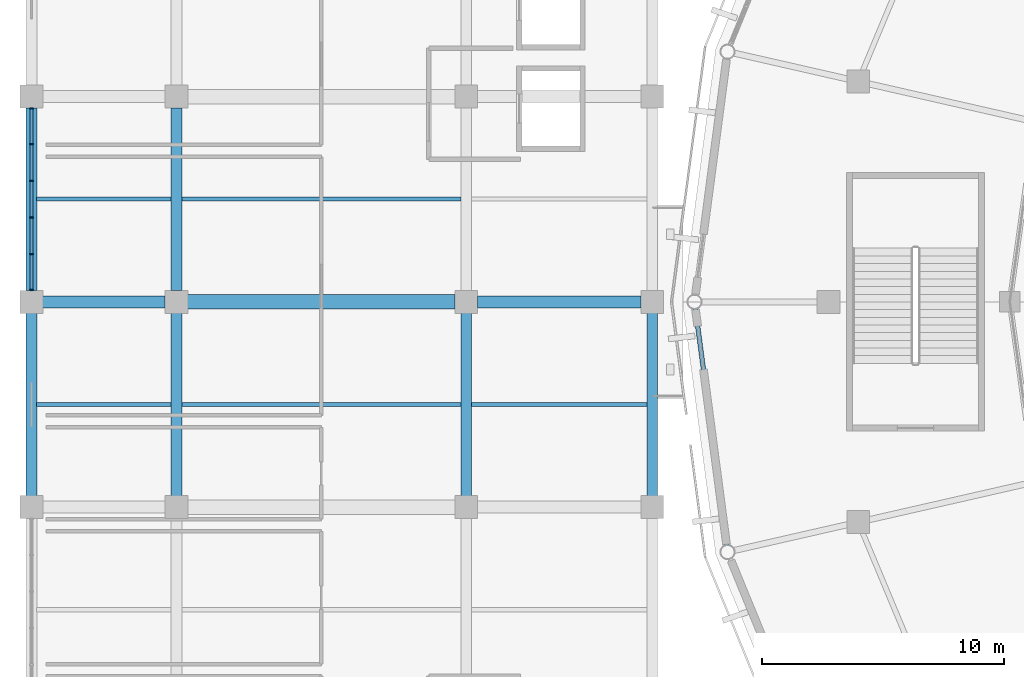
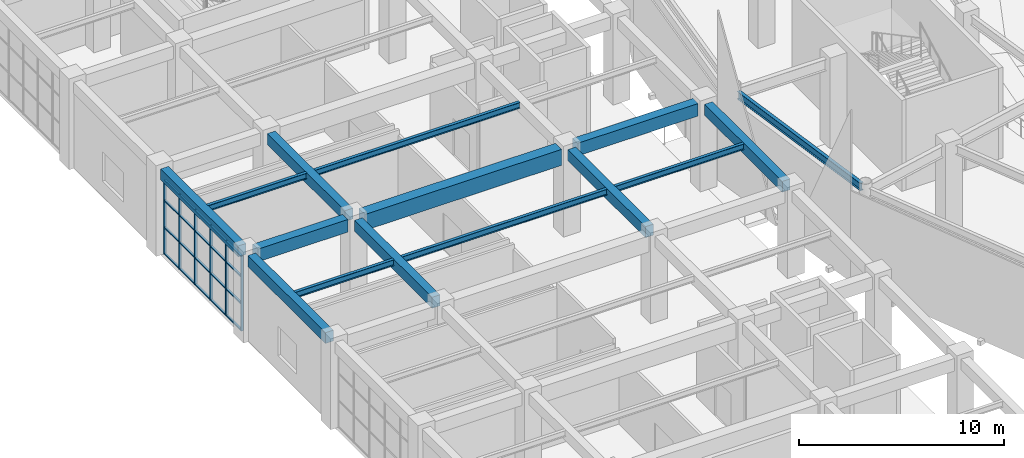
# One storey, part 31 of 120: 26 members, 15 beams, 1 element without a shape of its own.
"""IFC4 building model written with IfcOpenShell, lengths in metres."""

from ifc_helpers import new_model, si_unit, direction, frame, origin, origin_2d, place, context, subcontext, project, spatial, rectangle, i_section, extrude, material, material_profile, profile_set, type_object, element, aggregate, save


model = new_model("IFC4")

# Units and contexts
model_context = context("Model", 3, precision=1e-05, world=origin(), true_north=direction((0.0, 1.0)))
body_context = subcontext(model_context, "Body", "Model", "MODEL_VIEW")
ifc_project = project(units=[si_unit("LENGTHUNIT", "METRE"), si_unit("AREAUNIT", "SQUARE_METRE"), si_unit("VOLUMEUNIT", "CUBIC_METRE"), si_unit("PLANEANGLEUNIT", "RADIAN"), si_unit("MASSUNIT", "GRAM", prefix="KILO")], contexts=[model_context])

# Site, building, storey
site_placement = place(None, origin())
site = spatial("IfcSite", under=ifc_project, at=site_placement, CompositionType="ELEMENT")
building_placement = place(site_placement, origin())
building = spatial("IfcBuilding", under=site, at=building_placement, Name="Cuetzalor Civic Arena", CompositionType="ELEMENT")
storey_placement = place(building_placement, frame((0.0, 0.0, 6.0)))
storey = spatial("IfcBuildingStorey", under=building, at=storey_placement, Name="L01", CompositionType="ELEMENT", Elevation=6.0)

# Beams
ifc_material_1 = material(Name="Concrete C40/50", Category="concrete")
ifc_material_profile_1 = material_profile(ifc_material_1, rectangle(XDim=0.5, YDim=0.75, at=origin_2d()), Name="RC 500x750")
ifc_profile_set_1 = profile_set([ifc_material_profile_1], Name="Concrete C40/50")
beam_type_1 = type_object("IfcBeamType", Name="ConcreteFrameBeam_500x750", PredefinedType="BEAM", material=ifc_profile_set_1)
beam_1_placement = place(storey_placement, frame((-81.534912109375, 0.0, 4.7451171875), z_axis=(1.0, 0.0, 0.0), x_axis=(0.0, 1.0, 0.0)))
element("IfcBeam", 1, at=beam_1_placement, inside=storey, type_object=beam_type_1, Name="Frame Girder V4W-L01-X0366", PredefinedType="BEAM", context=body_context, shape_type="SweptSolid", body=[
    extrude(rectangle(XDim=0.5, YDim=0.75, at=origin_2d()), origin(), (0.0, 0.0, 1.0), 5.06982421875),
])
beam_2_placement = place(storey_placement, frame((-63.534912109375, 0.0, 4.7451171875), z_axis=(1.0, 0.0, 0.0), x_axis=(0.0, 1.0, 0.0)))
element("IfcBeam", 2, at=beam_2_placement, inside=storey, type_object=beam_type_1, Name="Frame Girder V4W-L01-X0368", PredefinedType="BEAM", context=body_context, shape_type="SweptSolid", body=[
    extrude(rectangle(XDim=0.5, YDim=0.75, at=origin_2d()), origin(), (0.0, 0.0, 1.0), 6.77001953125),
])
ifc_material_2 = material(Name="Concrete C40/50", Category="concrete")
ifc_material_profile_2 = material_profile(ifc_material_2, rectangle(XDim=0.60009765625, YDim=0.949951171875, at=origin_2d()), Name="RC 600x950")
ifc_profile_set_2 = profile_set([ifc_material_profile_2], Name="Concrete C40/50")
beam_type_2 = type_object("IfcBeamType", Name="ConcreteFrameBeam_600x950", PredefinedType="BEAM", material=ifc_profile_set_2)
beam_3_placement = place(storey_placement, frame((-75.534912109375, 0.0, 4.64501953125), z_axis=(1.0, 0.0, 0.0), x_axis=(0.0, 1.0, 0.0)))
element("IfcBeam", 3, at=beam_3_placement, inside=storey, type_object=beam_type_2, Name="Frame Girder V4W-L01-X0367", PredefinedType="BEAM", context=body_context, shape_type="SweptSolid", body=[
    extrude(rectangle(XDim=0.60009765625, YDim=0.949951171875, at=origin_2d()), origin(), (0.0, 0.0, 1.0), 11.06982421875),
])
ifc_material_3 = material(Name="Concrete C40/50", Category="concrete")
ifc_material_profile_3 = material_profile(ifc_material_3, rectangle(XDim=0.449951171875, YDim=0.64990234375, at=origin_2d()), Name="RC 450x650")
ifc_profile_set_3 = profile_set([ifc_material_profile_3], Name="Concrete C40/50")
beam_type_3 = type_object("IfcBeamType", Name="ConcreteTieBeam_450x650", PredefinedType="BEAM", material=ifc_profile_set_3)
for number, where, z_axis, x_axis, name in (
    (4, (-82.0, -8.034912109375, 4.794921875), (0.0, 1.0, 0.0), (-1.0, 0.0, 0.0), "Frame Girder V4W-L01-Y0386"),
    (5, (-82.0, 0.465087890625, 4.794921875), (0.0, 1.0, 0.0), (-1.0, 0.0, 0.0), "Frame Girder V4W-L01-Y0387"),
    (6, (-76.0, -8.034912109375, 4.794921875), (0.0, 1.0, 0.0), (-1.0, 0.0, 0.0), "Frame Girder V4W-L01-Y0396"),
    (7, (-76.0, 0.465087890625, 4.794921875), (0.0, 1.0, 0.0), (-1.0, 0.0, 0.0), "Frame Girder V4W-L01-Y0397"),
    (8, (-64.0, -8.034912109375, 4.794921875), (0.0, 1.0, 0.0), (-1.0, 0.0, 0.0), "Frame Girder V4W-L01-Y0406"),
    (9, (-56.300048828125, -8.034912109375, 4.794921875), (0.0, 1.0, 0.0), (-1.0, 0.0, 0.0), "Frame Girder V4W-L01-Y0416"),
):
    element("IfcBeam", number, at=place(storey_placement, frame(where, z_axis=z_axis, x_axis=x_axis)), inside=storey, type_object=beam_type_3, Name=name, PredefinedType="BEAM", context=body_context, shape_type="SweptSolid", body=[
        extrude(rectangle(XDim=0.449951171875, YDim=0.64990234375, at=origin_2d()), origin(), (0.0, 0.0, 1.0), 7.56982421875),
    ])

# Curtain wall, members
ifc_material_4 = material(Name="Anodised dark bronze aluminium and low-E solar glass", Category="aluminium")
curtain_wall_type = type_object("IfcCurtainWallType", Name="UnitisedCW_7600x4450", PredefinedType="USERDEFINED", material=ifc_material_4)
curtain_wall_placement = place(storey_placement, origin())
curtain_wall = element("IfcCurtainWall", 10, at=curtain_wall_placement, inside=storey, type_object=curtain_wall_type, Name="V4W Suite Viewing Curtain Wall L01-111", ObjectType="UNITISED CURTAIN WALL", PredefinedType="USERDEFINED")
ifc_material_5 = material(Name="Anodised dark bronze aluminium", Category="aluminium")
ifc_material_profile_4 = material_profile(ifc_material_5, rectangle(XDim=0.06494140625, YDim=0.14990234375, at=origin_2d()), Name="ALU MULLION 65x150")
ifc_profile_set_4 = profile_set([ifc_material_profile_4], Name="Anodised dark bronze aluminium")
member_type_1 = type_object("IfcMemberType", Name="CurtainWallMullion_60x150", PredefinedType="MULLION", material=ifc_profile_set_4)
member_1_placement = place(storey_placement, frame((-82.0, 0.489501953125, 0.0), z_axis=(0.0, 0.0, 1.0), x_axis=(0.0, 1.0, 0.0)))
member_1 = element("IfcMember", 11, at=member_1_placement, type_object=member_type_1, Name="CW-38 mullion 1", PredefinedType="MULLION", context=body_context, shape_type="SweptSolid", body=[
    extrude(rectangle(XDim=0.06494140625, YDim=0.14990234375, at=origin_2d()), origin(), (0.0, 0.0, 1.0), 4.4599609375),
])
member_2_placement = place(storey_placement, frame((-82.0, 1.97412109375, 0.0), z_axis=(0.0, 0.0, 1.0), x_axis=(0.0, 1.0, 0.0)))
member_2 = element("IfcMember", 12, at=member_2_placement, type_object=member_type_1, Name="CW-38 mullion 2", PredefinedType="MULLION", context=body_context, shape_type="SweptSolid", body=[
    extrude(rectangle(XDim=0.06494140625, YDim=0.14990234375, at=origin_2d()), origin(), (0.0, 0.0, 1.0), 4.4599609375),
])
member_3_placement = place(storey_placement, frame((-82.0, 3.491455078125, 0.0), z_axis=(0.0, 0.0, 1.0), x_axis=(0.0, 1.0, 0.0)))
member_3 = element("IfcMember", 13, at=member_3_placement, type_object=member_type_1, Name="CW-38 mullion 3", PredefinedType="MULLION", context=body_context, shape_type="SweptSolid", body=[
    extrude(rectangle(XDim=0.06494140625, YDim=0.14990234375, at=origin_2d()), origin(), (0.0, 0.0, 1.0), 4.4599609375),
])
member_4_placement = place(storey_placement, frame((-82.0, 5.008544921875, 0.0), z_axis=(0.0, 0.0, 1.0), x_axis=(0.0, 1.0, 0.0)))
member_4 = element("IfcMember", 14, at=member_4_placement, type_object=member_type_1, Name="CW-38 mullion 4", PredefinedType="MULLION", context=body_context, shape_type="SweptSolid", body=[
    extrude(rectangle(XDim=0.06494140625, YDim=0.14990234375, at=origin_2d()), origin(), (0.0, 0.0, 1.0), 4.4599609375),
])
member_5_placement = place(storey_placement, frame((-82.0, 6.52587890625, 0.0), z_axis=(0.0, 0.0, 1.0), x_axis=(0.0, 1.0, 0.0)))
member_5 = element("IfcMember", 15, at=member_5_placement, type_object=member_type_1, Name="CW-38 mullion 5", PredefinedType="MULLION", context=body_context, shape_type="SweptSolid", body=[
    extrude(rectangle(XDim=0.06494140625, YDim=0.14990234375, at=origin_2d()), origin(), (0.0, 0.0, 1.0), 4.4599609375),
])
member_6_placement = place(storey_placement, frame((-82.0, 8.010498046875, 0.0), z_axis=(0.0, 0.0, 1.0), x_axis=(0.0, 1.0, 0.0)))
member_6 = element("IfcMember", 16, at=member_6_placement, type_object=member_type_1, Name="CW-38 mullion 6", PredefinedType="MULLION", context=body_context, shape_type="SweptSolid", body=[
    extrude(rectangle(XDim=0.06494140625, YDim=0.14990234375, at=origin_2d()), origin(), (0.0, 0.0, 1.0), 4.4599609375),
])
ifc_material_6 = material(Name="Anodised dark bronze aluminium", Category="aluminium")
ifc_material_profile_5 = material_profile(ifc_material_6, rectangle(XDim=0.1201171875, YDim=0.06494140625, at=origin_2d()), Name="ALU TRANSOM 65x120")
ifc_profile_set_5 = profile_set([ifc_material_profile_5], Name="Anodised dark bronze aluminium")
member_type_2 = type_object("IfcMemberType", Name="CurtainWallTransom_60x120", PredefinedType="USERDEFINED", material=ifc_profile_set_5)
member_7_placement = place(storey_placement, frame((-82.0, 0.52197265625, 0.032470703125), z_axis=(0.0, 1.0, 0.0), x_axis=(-1.0, 0.0, 0.0)))
member_7 = element("IfcMember", 17, at=member_7_placement, type_object=member_type_2, Name="CW-38 transom 1.1", ObjectType="TRANSOM", PredefinedType="USERDEFINED", context=body_context, shape_type="SweptSolid", body=[
    extrude(rectangle(XDim=0.1201171875, YDim=0.06494140625, at=origin_2d()), origin(), (0.0, 0.0, 1.0), 1.419677734375),
])
member_8_placement = place(storey_placement, frame((-82.0, 0.52197265625, 1.60595703125), z_axis=(0.0, 1.0, 0.0), x_axis=(-1.0, 0.0, 0.0)))
member_8 = element("IfcMember", 18, at=member_8_placement, type_object=member_type_2, Name="CW-38 transom 1.2", ObjectType="TRANSOM", PredefinedType="USERDEFINED", context=body_context, shape_type="SweptSolid", body=[
    extrude(rectangle(XDim=0.1201171875, YDim=0.06494140625, at=origin_2d()), origin(), (0.0, 0.0, 1.0), 1.419677734375),
])
member_9_placement = place(storey_placement, frame((-82.0, 0.52197265625, 3.2109375), z_axis=(0.0, 1.0, 0.0), x_axis=(-1.0, 0.0, 0.0)))
member_9 = element("IfcMember", 19, at=member_9_placement, type_object=member_type_2, Name="CW-38 transom 1.3", ObjectType="TRANSOM", PredefinedType="USERDEFINED", context=body_context, shape_type="SweptSolid", body=[
    extrude(rectangle(XDim=0.1201171875, YDim=0.06494140625, at=origin_2d()), origin(), (0.0, 0.0, 1.0), 1.419677734375),
])
member_10_placement = place(storey_placement, frame((-82.0, 0.52197265625, 4.427490234375), z_axis=(0.0, 1.0, 0.0), x_axis=(-1.0, 0.0, 0.0)))
member_10 = element("IfcMember", 20, at=member_10_placement, type_object=member_type_2, Name="CW-38 transom 1.4", ObjectType="TRANSOM", PredefinedType="USERDEFINED", context=body_context, shape_type="SweptSolid", body=[
    extrude(rectangle(XDim=0.1201171875, YDim=0.06494140625, at=origin_2d()), origin(), (0.0, 0.0, 1.0), 1.419677734375),
])
member_11_placement = place(storey_placement, frame((-82.0, 2.006591796875, 0.032470703125), z_axis=(0.0, 1.0, 0.0), x_axis=(-1.0, 0.0, 0.0)))
member_11 = element("IfcMember", 21, at=member_11_placement, type_object=member_type_2, Name="CW-38 transom 2.1", ObjectType="TRANSOM", PredefinedType="USERDEFINED", context=body_context, shape_type="SweptSolid", body=[
    extrude(rectangle(XDim=0.1201171875, YDim=0.06494140625, at=origin_2d()), origin(), (0.0, 0.0, 1.0), 1.452392578125),
])
member_12_placement = place(storey_placement, frame((-82.0, 2.006591796875, 1.60595703125), z_axis=(0.0, 1.0, 0.0), x_axis=(-1.0, 0.0, 0.0)))
member_12 = element("IfcMember", 22, at=member_12_placement, type_object=member_type_2, Name="CW-38 transom 2.2", ObjectType="TRANSOM", PredefinedType="USERDEFINED", context=body_context, shape_type="SweptSolid", body=[
    extrude(rectangle(XDim=0.1201171875, YDim=0.06494140625, at=origin_2d()), origin(), (0.0, 0.0, 1.0), 1.452392578125),
])
member_13_placement = place(storey_placement, frame((-82.0, 2.006591796875, 3.2109375), z_axis=(0.0, 1.0, 0.0), x_axis=(-1.0, 0.0, 0.0)))
member_13 = element("IfcMember", 23, at=member_13_placement, type_object=member_type_2, Name="CW-38 transom 2.3", ObjectType="TRANSOM", PredefinedType="USERDEFINED", context=body_context, shape_type="SweptSolid", body=[
    extrude(rectangle(XDim=0.1201171875, YDim=0.06494140625, at=origin_2d()), origin(), (0.0, 0.0, 1.0), 1.452392578125),
])
member_14_placement = place(storey_placement, frame((-82.0, 2.006591796875, 4.427490234375), z_axis=(0.0, 1.0, 0.0), x_axis=(-1.0, 0.0, 0.0)))
member_14 = element("IfcMember", 24, at=member_14_placement, type_object=member_type_2, Name="CW-38 transom 2.4", ObjectType="TRANSOM", PredefinedType="USERDEFINED", context=body_context, shape_type="SweptSolid", body=[
    extrude(rectangle(XDim=0.1201171875, YDim=0.06494140625, at=origin_2d()), origin(), (0.0, 0.0, 1.0), 1.452392578125),
])
member_15_placement = place(storey_placement, frame((-82.0, 3.52392578125, 0.032470703125), z_axis=(0.0, 1.0, 0.0), x_axis=(-1.0, 0.0, 0.0)))
member_15 = element("IfcMember", 25, at=member_15_placement, type_object=member_type_2, Name="CW-38 transom 3.1", ObjectType="TRANSOM", PredefinedType="USERDEFINED", context=body_context, shape_type="SweptSolid", body=[
    extrude(rectangle(XDim=0.1201171875, YDim=0.06494140625, at=origin_2d()), origin(), (0.0, 0.0, 1.0), 1.4521484375),
])
member_16_placement = place(storey_placement, frame((-82.0, 3.52392578125, 1.60595703125), z_axis=(0.0, 1.0, 0.0), x_axis=(-1.0, 0.0, 0.0)))
member_16 = element("IfcMember", 26, at=member_16_placement, type_object=member_type_2, Name="CW-38 transom 3.2", ObjectType="TRANSOM", PredefinedType="USERDEFINED", context=body_context, shape_type="SweptSolid", body=[
    extrude(rectangle(XDim=0.1201171875, YDim=0.06494140625, at=origin_2d()), origin(), (0.0, 0.0, 1.0), 1.4521484375),
])
member_17_placement = place(storey_placement, frame((-82.0, 3.52392578125, 3.2109375), z_axis=(0.0, 1.0, 0.0), x_axis=(-1.0, 0.0, 0.0)))
member_17 = element("IfcMember", 27, at=member_17_placement, type_object=member_type_2, Name="CW-38 transom 3.3", ObjectType="TRANSOM", PredefinedType="USERDEFINED", context=body_context, shape_type="SweptSolid", body=[
    extrude(rectangle(XDim=0.1201171875, YDim=0.06494140625, at=origin_2d()), origin(), (0.0, 0.0, 1.0), 1.4521484375),
])
member_18_placement = place(storey_placement, frame((-82.0, 3.52392578125, 4.427490234375), z_axis=(0.0, 1.0, 0.0), x_axis=(-1.0, 0.0, 0.0)))
member_18 = element("IfcMember", 28, at=member_18_placement, type_object=member_type_2, Name="CW-38 transom 3.4", ObjectType="TRANSOM", PredefinedType="USERDEFINED", context=body_context, shape_type="SweptSolid", body=[
    extrude(rectangle(XDim=0.1201171875, YDim=0.06494140625, at=origin_2d()), origin(), (0.0, 0.0, 1.0), 1.4521484375),
])
member_19_placement = place(storey_placement, frame((-82.0, 5.041015625, 0.032470703125), z_axis=(0.0, 1.0, 0.0), x_axis=(-1.0, 0.0, 0.0)))
member_19 = element("IfcMember", 29, at=member_19_placement, type_object=member_type_2, Name="CW-38 transom 4.1", ObjectType="TRANSOM", PredefinedType="USERDEFINED", context=body_context, shape_type="SweptSolid", body=[
    extrude(rectangle(XDim=0.1201171875, YDim=0.06494140625, at=origin_2d()), origin(), (0.0, 0.0, 1.0), 1.452392578125),
])
member_20_placement = place(storey_placement, frame((-82.0, 5.041015625, 1.60595703125), z_axis=(0.0, 1.0, 0.0), x_axis=(-1.0, 0.0, 0.0)))
member_20 = element("IfcMember", 30, at=member_20_placement, type_object=member_type_2, Name="CW-38 transom 4.2", ObjectType="TRANSOM", PredefinedType="USERDEFINED", context=body_context, shape_type="SweptSolid", body=[
    extrude(rectangle(XDim=0.1201171875, YDim=0.06494140625, at=origin_2d()), origin(), (0.0, 0.0, 1.0), 1.452392578125),
])
member_21_placement = place(storey_placement, frame((-82.0, 5.041015625, 3.2109375), z_axis=(0.0, 1.0, 0.0), x_axis=(-1.0, 0.0, 0.0)))
member_21 = element("IfcMember", 31, at=member_21_placement, type_object=member_type_2, Name="CW-38 transom 4.3", ObjectType="TRANSOM", PredefinedType="USERDEFINED", context=body_context, shape_type="SweptSolid", body=[
    extrude(rectangle(XDim=0.1201171875, YDim=0.06494140625, at=origin_2d()), origin(), (0.0, 0.0, 1.0), 1.452392578125),
])
member_22_placement = place(storey_placement, frame((-82.0, 5.041015625, 4.427490234375), z_axis=(0.0, 1.0, 0.0), x_axis=(-1.0, 0.0, 0.0)))
member_22 = element("IfcMember", 32, at=member_22_placement, type_object=member_type_2, Name="CW-38 transom 4.4", ObjectType="TRANSOM", PredefinedType="USERDEFINED", context=body_context, shape_type="SweptSolid", body=[
    extrude(rectangle(XDim=0.1201171875, YDim=0.06494140625, at=origin_2d()), origin(), (0.0, 0.0, 1.0), 1.452392578125),
])
member_23_placement = place(storey_placement, frame((-82.0, 6.558349609375, 0.032470703125), z_axis=(0.0, 1.0, 0.0), x_axis=(-1.0, 0.0, 0.0)))
member_23 = element("IfcMember", 33, at=member_23_placement, type_object=member_type_2, Name="CW-38 transom 5.1", ObjectType="TRANSOM", PredefinedType="USERDEFINED", context=body_context, shape_type="SweptSolid", body=[
    extrude(rectangle(XDim=0.1201171875, YDim=0.06494140625, at=origin_2d()), origin(), (0.0, 0.0, 1.0), 1.419677734375),
])
member_24_placement = place(storey_placement, frame((-82.0, 6.558349609375, 1.60595703125), z_axis=(0.0, 1.0, 0.0), x_axis=(-1.0, 0.0, 0.0)))
member_24 = element("IfcMember", 34, at=member_24_placement, type_object=member_type_2, Name="CW-38 transom 5.2", ObjectType="TRANSOM", PredefinedType="USERDEFINED", context=body_context, shape_type="SweptSolid", body=[
    extrude(rectangle(XDim=0.1201171875, YDim=0.06494140625, at=origin_2d()), origin(), (0.0, 0.0, 1.0), 1.419677734375),
])
member_25_placement = place(storey_placement, frame((-82.0, 6.558349609375, 3.2109375), z_axis=(0.0, 1.0, 0.0), x_axis=(-1.0, 0.0, 0.0)))
member_25 = element("IfcMember", 35, at=member_25_placement, type_object=member_type_2, Name="CW-38 transom 5.3", ObjectType="TRANSOM", PredefinedType="USERDEFINED", context=body_context, shape_type="SweptSolid", body=[
    extrude(rectangle(XDim=0.1201171875, YDim=0.06494140625, at=origin_2d()), origin(), (0.0, 0.0, 1.0), 1.419677734375),
])
member_26_placement = place(storey_placement, frame((-82.0, 6.558349609375, 4.427490234375), z_axis=(0.0, 1.0, 0.0), x_axis=(-1.0, 0.0, 0.0)))
member_26 = element("IfcMember", 36, at=member_26_placement, type_object=member_type_2, Name="CW-38 transom 5.4", ObjectType="TRANSOM", PredefinedType="USERDEFINED", context=body_context, shape_type="SweptSolid", body=[
    extrude(rectangle(XDim=0.1201171875, YDim=0.06494140625, at=origin_2d()), origin(), (0.0, 0.0, 1.0), 1.419677734375),
])
aggregate(curtain_wall, [member_1, member_2, member_3, member_4, member_5, member_6, member_7, member_8, member_9, member_10, member_11, member_12, member_13, member_14, member_15, member_16, member_17, member_18, member_19, member_20, member_21, member_22, member_23, member_24, member_25, member_26])

# Beams
ifc_material_7 = material(Name="Steel S355", Category="steel")
ifc_material_profile_6 = material_profile(ifc_material_7, i_section(OverallWidth=0.18994140625, OverallDepth=0.45703125, WebThickness=0.009033203125, FlangeThickness=0.014404296875, at=origin_2d()), Name="W460x74")
ifc_profile_set_6 = profile_set([ifc_material_profile_6], Name="Steel S355")
beam_type_4 = type_object("IfcBeamType", Name="FacadeSpandrelBeam_W460", PredefinedType="SPANDREL", material=ifc_profile_set_6)
beam_4_placement = place(storey_placement, frame((-54.511962890625, -0.28759765625, 4.8916015625), z_axis=(0.130901206694, -0.991395417624, 0.0), x_axis=(0.991395417624, 0.130901206694, 0.0)))
element("IfcBeam", 37, at=beam_4_placement, inside=storey, type_object=beam_type_4, Name="Drum Perimeter Spandrel L01-S15", PredefinedType="SPANDREL", context=body_context, shape_type="SweptSolid", body=[
    extrude(i_section(OverallWidth=0.18994140625, OverallDepth=0.45703125, WebThickness=0.009033203125, FlangeThickness=0.014404296875, at=origin_2d()), origin(), (0.0, 0.0, 1.0), 9.8681640625),
])
ifc_material_8 = material(Name="Steel S355", Category="steel")
ifc_material_profile_7 = material_profile(ifc_material_8, i_section(OverallWidth=0.1708984375, OverallDepth=0.35498046875, WebThickness=0.007080078125, FlangeThickness=0.01171875, at=origin_2d()), Name="W360x51")
ifc_profile_set_7 = profile_set([ifc_material_profile_7], Name="Steel S355")
beam_type_5 = type_object("IfcBeamType", Name="SecondaryFloorJoist_W360", PredefinedType="JOIST", material=ifc_profile_set_7)
for number, where, z_axis, x_axis, name in (
    (38, (-81.782958984375, -4.25, 4.9423828125), (1.0, 0.0, 0.0), (0.0, 1.0, 0.0), "Secondary Floor Joist V4W-L01-0110"),
    (39, (-81.782958984375, 4.25, 4.9423828125), (1.0, 0.0, 0.0), (0.0, 1.0, 0.0), "Secondary Floor Joist V4W-L01-0111"),
):
    element("IfcBeam", number, at=place(storey_placement, frame(where, z_axis=z_axis, x_axis=x_axis)), inside=storey, type_object=beam_type_5, Name=name, PredefinedType="JOIST", context=body_context, shape_type="SweptSolid", body=[
        extrude(i_section(OverallWidth=0.1708984375, OverallDepth=0.35498046875, WebThickness=0.007080078125, FlangeThickness=0.01171875, at=origin_2d()), origin(), (0.0, 0.0, 1.0), 5.56591796875),
    ])
for number, where, z_axis, x_axis, name in (
    (40, (-75.782958984375, -4.25, 4.9423828125), (1.0, 0.0, 0.0), (0.0, 1.0, 0.0), "Secondary Floor Joist V4W-L01-0118"),
    (41, (-75.782958984375, 4.25, 4.9423828125), (1.0, 0.0, 0.0), (0.0, 1.0, 0.0), "Secondary Floor Joist V4W-L01-0119"),
):
    element("IfcBeam", number, at=place(storey_placement, frame(where, z_axis=z_axis, x_axis=x_axis)), inside=storey, type_object=beam_type_5, Name=name, PredefinedType="JOIST", context=body_context, shape_type="SweptSolid", body=[
        extrude(i_section(OverallWidth=0.1708984375, OverallDepth=0.35498046875, WebThickness=0.007080078125, FlangeThickness=0.01171875, at=origin_2d()), origin(), (0.0, 0.0, 1.0), 11.56591796875),
    ])
beam_5_placement = place(storey_placement, frame((-63.782958984375, -4.25, 4.9423828125), z_axis=(1.0, 0.0, 0.0), x_axis=(0.0, 1.0, 0.0)))
element("IfcBeam", 42, at=beam_5_placement, inside=storey, type_object=beam_type_5, Name="Secondary Floor Joist V4W-L01-0126", PredefinedType="JOIST", context=body_context, shape_type="SweptSolid", body=[
    extrude(i_section(OverallWidth=0.1708984375, OverallDepth=0.35498046875, WebThickness=0.007080078125, FlangeThickness=0.01171875, at=origin_2d()), origin(), (0.0, 0.0, 1.0), 7.265869140625),
])

save(model, "model.ifc")
